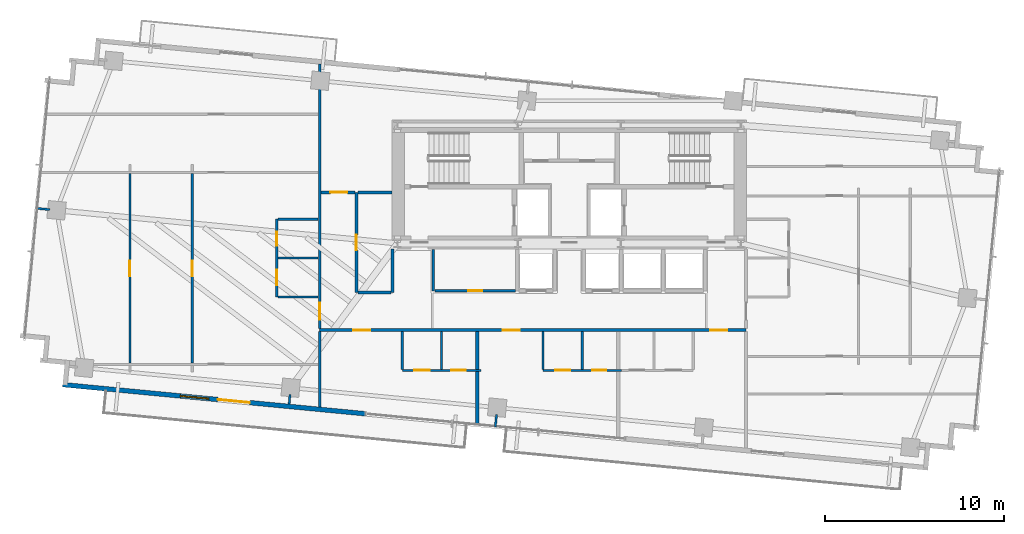
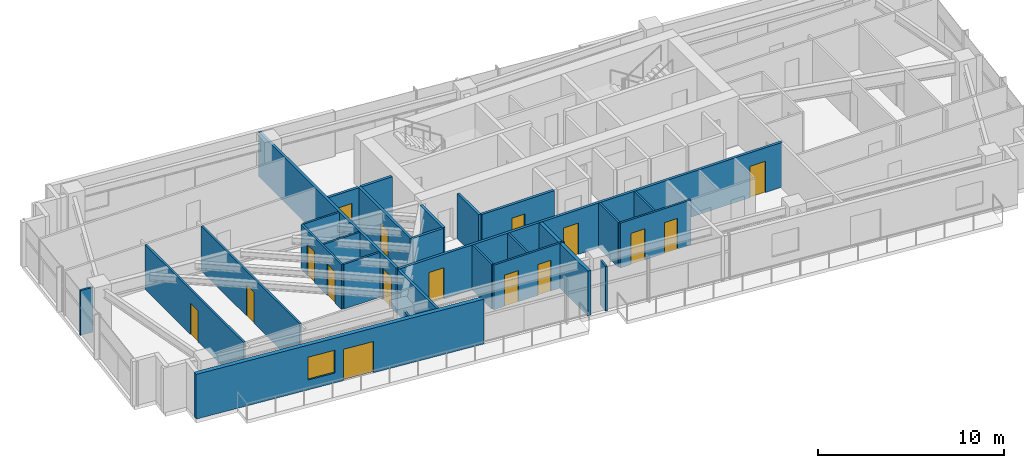
# One storey, part 15 of 20: 28 walls, 16 doors, 1 window, 17 openings.
"""IFC4 building model written with IfcOpenShell, lengths in metres."""

from ifc_helpers import new_model, si_unit, direction, frame, frame_2d, origin, place, context, subcontext, project, spatial, rectangle, extrude, source, transform, mapped, material, layer, layer_set, type_object, type_shapes, element, fill, save


model = new_model("IFC4")

# Units and contexts
model_context = context("Model", 3, precision=1e-05, world=origin(), true_north=direction((0.0, 1.0)))
body_context = subcontext(model_context, "Body", "Model", "MODEL_VIEW")
ifc_project = project(units=[si_unit("LENGTHUNIT", "METRE"), si_unit("AREAUNIT", "SQUARE_METRE"), si_unit("VOLUMEUNIT", "CUBIC_METRE"), si_unit("PLANEANGLEUNIT", "RADIAN"), si_unit("MASSUNIT", "GRAM", prefix="KILO")], contexts=[model_context])

# Site, building, storey
site_placement = place(None, origin())
site = spatial("IfcSite", under=ifc_project, at=site_placement, CompositionType="ELEMENT")
building_placement = place(site_placement, origin())
building = spatial("IfcBuilding", under=site, at=building_placement, Name="Astriad Promenade Condominiums", CompositionType="ELEMENT")
storey_placement = place(building_placement, frame((0.0, 0.0, 153.39990234375)))
storey = spatial("IfcBuildingStorey", under=building, at=storey_placement, Name="L44", CompositionType="ELEMENT", Elevation=153.39990234375)

# Wall
ifc_material_1 = material(Name="Fire-Rated Gypsum Partition")
ifc_layer_1 = layer(ifc_material_1, 0.159912109375)
ifc_layer_set_1 = layer_set([ifc_layer_1], Name="Fire-Rated Gypsum Partition")
wall_type_1 = type_object("IfcWallType", Name="WALL-CORR-160", PredefinedType="PARTITIONING", material=ifc_layer_set_1)
wall_1_placement = place(storey_placement, frame((28.39990234375, 14.75, 0.0), z_axis=(0.0, 0.0, 1.0), x_axis=(0.0, 1.0, 0.0)))
element("IfcWall", 1, at=wall_1_placement, inside=storey, type_object=wall_type_1, Name="REC-L-W-L44", PredefinedType="PARTITIONING", context=body_context, shape_type="SweptSolid", body=[
    extrude(rectangle(XDim=2.300048828125, YDim=0.159912109375, at=frame_2d((1.14990234375, 0.0))), origin(), (0.0, 0.0, 1.0), 2.940185546875),
])

# Wall, opening, door
wall_2_placement = place(storey_placement, frame((28.48193359375, 14.75, 0.0), z_axis=(0.0, 0.0, 1.0), x_axis=(1.0, 0.0, 0.0)))
wall_2 = element("IfcWall", 2, at=wall_2_placement, inside=storey, type_object=wall_type_1, Name="REC-L-S-L44", PredefinedType="PARTITIONING", context=body_context, shape_type="SweptSolid", body=[
    extrude(rectangle(XDim=4.51611328125, YDim=0.159912109375, at=frame_2d((2.258056640625, 0.0))), origin(), (0.0, 0.0, 1.0), 2.940185546875),
])
opening_1_placement = place(wall_2_placement, frame((1.867919921875, 0.0, 0.0)))
opening_1 = element("IfcOpeningElement", 3, at=opening_1_placement, cuts=wall_2, Name="Opening FD60-SV-080", PredefinedType="OPENING", context=body_context, shape_type="SweptSolid", body=[
    extrude(rectangle(XDim=0.800048828125, YDim=2.050048828125, at=frame_2d((0.39990234375, 1.02490234375))), frame((0.0, 0.08984375, 0.0), z_axis=(0.0, -1.0, 0.0), x_axis=(1.0, 0.0, 0.0)), (0.0, 0.0, 1.0), 0.179931640625),
])
ifc_material_2 = material(Name="Fire-Rated Riser Closet Door")
door_type_1 = type_object("IfcDoorType", Name="FD60-SV-080", OperationType="NOTDEFINED", PredefinedType="DOOR", material=ifc_material_2)
shared_shape_1 = source(origin(), body_context, "Body", "SweptSolid", [
    extrude(rectangle(XDim=0.800048828125, YDim=2.050048828125, at=frame_2d((0.39990234375, 1.02490234375))), frame((0.0, 0.02490234375, 0.0), z_axis=(0.0, -1.0, 0.0), x_axis=(1.0, 0.0, 0.0)), (0.0, 0.0, 1.0), 0.050048828125),
])
type_shapes(door_type_1, [shared_shape_1])
door_1_placement = place(opening_1_placement, origin())
door_1 = element("IfcDoor", 4, at=door_1_placement, inside=storey, type_object=door_type_1, Name="D-RECL-L44", OperationType="SINGLE_SWING_LEFT", OverallHeight=2.050048828125, OverallWidth=0.800048828125, PredefinedType="DOOR", context=body_context, shape_type="MappedRepresentation", body=[
    mapped(shared_shape_1, transform((0.0, 0.0, 0.0), scale=1.0)),
])
fill(opening_1, door_1)

# Wall, openings, doors
wall_3_placement = place(storey_placement, frame((22.050048828125, 12.550048828125, 0.0), z_axis=(0.0, 0.0, 1.0), x_axis=(1.0, 0.0, 0.0)))
wall_3 = element("IfcWall", 5, at=wall_3_placement, inside=storey, type_object=wall_type_1, Name="PT-COR-S-L44", PredefinedType="PARTITIONING", context=body_context, shape_type="SweptSolid", body=[
    extrude(rectangle(XDim=23.829833984375, YDim=0.159912109375, at=frame_2d((11.9150390625, 0.0))), origin(), (0.0, 0.0, 1.0), 2.940185546875),
])
opening_2_placement = place(wall_3_placement, frame((1.873046875, 0.0, 0.0)))
opening_2 = element("IfcOpeningElement", 6, at=opening_2_placement, cuts=wall_3, Name="Opening FD60-APT-095", PredefinedType="OPENING", context=body_context, shape_type="SweptSolid", body=[
    extrude(rectangle(XDim=0.949951171875, YDim=2.06005859375, at=frame_2d((0.47509765625, 1.030029296875))), frame((0.0, 0.08984375, 0.0), z_axis=(0.0, -1.0, 0.0), x_axis=(1.0, 0.0, 0.0)), (0.0, 0.0, 1.0), 0.179931640625),
])
opening_3_placement = place(wall_3_placement, frame((10.22412109375, 0.0, 0.0)))
opening_3 = element("IfcOpeningElement", 7, at=opening_3_placement, cuts=wall_3, Name="Opening FD60-APT-095", PredefinedType="OPENING", context=body_context, shape_type="SweptSolid", body=[
    extrude(rectangle(XDim=0.949951171875, YDim=2.06005859375, at=frame_2d((0.47509765625, 1.030029296875))), frame((0.0, 0.08984375, 0.0), z_axis=(0.0, -1.0, 0.0), x_axis=(1.0, 0.0, 0.0)), (0.0, 0.0, 1.0), 0.179931640625),
])
opening_4_placement = place(wall_3_placement, frame((21.840087890625, 0.0, 0.0)))
opening_4 = element("IfcOpeningElement", 8, at=opening_4_placement, cuts=wall_3, Name="Opening FD60-APT-095", PredefinedType="OPENING", context=body_context, shape_type="SweptSolid", body=[
    extrude(rectangle(XDim=0.949951171875, YDim=2.06005859375, at=frame_2d((0.47509765625, 1.030029296875))), frame((0.0, 0.08984375, 0.0), z_axis=(0.0, -1.0, 0.0), x_axis=(1.0, 0.0, 0.0)), (0.0, 0.0, 1.0), 0.179931640625),
])
ifc_material_3 = material(Name="Solid-Core Acoustic Timber Residence Entry Door", Category="wood")
door_type_2 = type_object("IfcDoorType", Name="FD60-APT-095", OperationType="NOTDEFINED", PredefinedType="DOOR", material=ifc_material_3)
shared_shape_2 = source(origin(), body_context, "Body", "SweptSolid", [
    extrude(rectangle(XDim=0.949951171875, YDim=2.06005859375, at=frame_2d((0.47509765625, 1.030029296875))), frame((0.0, 0.02490234375, 0.0), z_axis=(0.0, -1.0, 0.0), x_axis=(1.0, 0.0, 0.0)), (0.0, 0.0, 1.0), 0.050048828125),
])
type_shapes(door_type_2, [shared_shape_2])
door_2_placement = place(opening_2_placement, origin())
door_2 = element("IfcDoor", 9, at=door_2_placement, inside=storey, type_object=door_type_2, Name="D-ENT-L44-S1", OperationType="SINGLE_SWING_RIGHT", OverallHeight=2.06005859375, OverallWidth=0.949951171875, PredefinedType="DOOR", context=body_context, shape_type="MappedRepresentation", body=[
    mapped(shared_shape_2, transform((0.0, 0.0, 0.0), scale=1.0)),
])
fill(opening_2, door_2)
door_3_placement = place(opening_3_placement, origin())
door_3 = element("IfcDoor", 10, at=door_3_placement, inside=storey, type_object=door_type_2, Name="D-ENT-L44-S2", OperationType="SINGLE_SWING_LEFT", OverallHeight=2.06005859375, OverallWidth=0.949951171875, PredefinedType="DOOR", context=body_context, shape_type="MappedRepresentation", body=[
    mapped(shared_shape_2, transform((0.0, 0.0, 0.0), scale=1.0)),
])
fill(opening_3, door_3)
door_4_placement = place(opening_4_placement, origin())
door_4 = element("IfcDoor", 11, at=door_4_placement, inside=storey, type_object=door_type_2, Name="D-ENT-L44-S3", OperationType="SINGLE_SWING_RIGHT", OverallHeight=2.06005859375, OverallWidth=0.949951171875, PredefinedType="DOOR", context=body_context, shape_type="MappedRepresentation", body=[
    mapped(shared_shape_2, transform((0.0, 0.0, 0.0), scale=1.0)),
])
fill(opening_4, door_4)

# Wall
wall_4_placement = place(storey_placement, frame((22.050048828125, 8.253173828125, 0.0), z_axis=(0.0, 0.0, 1.0), x_axis=(0.0, 1.0, 0.0)))
element("IfcWall", 12, at=wall_4_placement, inside=storey, type_object=wall_type_1, Name="PT-COR-W-L44", PredefinedType="PARTITIONING", context=body_context, shape_type="SweptSolid", body=[
    extrude(rectangle(XDim=4.21484375, YDim=0.159912109375, at=frame_2d((2.107421875, 0.0))), origin(), (0.0, 0.0, 1.0), 2.940185546875),
])

# Wall, opening, door
wall_5_placement = place(storey_placement, frame((22.050048828125, 12.632080078125, 0.0), z_axis=(0.0, 0.0, 1.0), x_axis=(0.0, 1.0, 0.0)))
wall_5 = element("IfcWall", 13, at=wall_5_placement, inside=storey, type_object=wall_type_1, Name="PT-COR-W-L44-S2", PredefinedType="PARTITIONING", context=body_context, shape_type="SweptSolid", body=[
    extrude(rectangle(XDim=14.78515625, YDim=0.159912109375, at=frame_2d((7.392578125, 0.0))), origin(), (0.0, 0.0, 1.0), 2.940185546875),
])
opening_5_placement = place(wall_5_placement, frame((0.492919921875, 0.0, 0.0)))
opening_5 = element("IfcOpeningElement", 14, at=opening_5_placement, cuts=wall_5, Name="Opening FD60-APT-095", PredefinedType="OPENING", context=body_context, shape_type="SweptSolid", body=[
    extrude(rectangle(XDim=0.949951171875, YDim=2.06005859375, at=frame_2d((0.47509765625, 1.030029296875))), frame((0.0, 0.08984375, 0.0), z_axis=(0.0, -1.0, 0.0), x_axis=(1.0, 0.0, 0.0)), (0.0, 0.0, 1.0), 0.179931640625),
])
door_5_placement = place(opening_5_placement, origin())
door_5 = element("IfcDoor", 15, at=door_5_placement, inside=storey, type_object=door_type_2, Name="D-ENT-L44-W1", OperationType="SINGLE_SWING_LEFT", OverallHeight=2.06005859375, OverallWidth=0.949951171875, PredefinedType="DOOR", context=body_context, shape_type="MappedRepresentation", body=[
    mapped(shared_shape_2, transform((0.0, 0.0, 0.0), scale=1.0)),
])
fill(opening_5, door_5)

wall_6_placement = place(storey_placement, frame((24.10009765625, 14.659912109375, 0.0), z_axis=(0.0, 0.0, 1.0), x_axis=(0.0, 1.0, 0.0)))
wall_6 = element("IfcWall", 16, at=wall_6_placement, inside=storey, type_object=wall_type_1, Name="PT-HK-E-L44", PredefinedType="PARTITIONING", context=body_context, shape_type="SweptSolid", body=[
    extrude(rectangle(XDim=5.590087890625, YDim=0.159912109375, at=frame_2d((2.794921875, 0.0))), origin(), (0.0, 0.0, 1.0), 2.940185546875),
])
opening_6_placement = place(wall_6_placement, frame((2.360107421875, 0.0, 0.0)))
opening_6 = element("IfcOpeningElement", 17, at=opening_6_placement, cuts=wall_6, Name="Opening FD60-ULOW-085", PredefinedType="OPENING", context=body_context, shape_type="SweptSolid", body=[
    extrude(rectangle(XDim=0.85009765625, YDim=2.0, at=frame_2d((0.425048828125, 1.0))), frame((0.0, 0.08984375, 0.0), z_axis=(0.0, -1.0, 0.0), x_axis=(1.0, 0.0, 0.0)), (0.0, 0.0, 1.0), 0.179931640625),
])
ifc_material_4 = material(Name="Solid-Core Low-Headroom Fire Door")
door_type_3 = type_object("IfcDoorType", Name="FD60-ULOW-085", OperationType="NOTDEFINED", PredefinedType="DOOR", material=ifc_material_4)
shared_shape_3 = source(origin(), body_context, "Body", "SweptSolid", [
    extrude(rectangle(XDim=0.85009765625, YDim=2.0, at=frame_2d((0.425048828125, 1.0))), frame((0.0, 0.02490234375, 0.0), z_axis=(0.0, -1.0, 0.0), x_axis=(1.0, 0.0, 0.0)), (0.0, 0.0, 1.0), 0.050048828125),
])
type_shapes(door_type_3, [shared_shape_3])
door_6_placement = place(opening_6_placement, origin())
door_6 = element("IfcDoor", 18, at=door_6_placement, inside=storey, type_object=door_type_3, Name="D-HKA-L44", OperationType="SINGLE_SWING_RIGHT", OverallHeight=2.0, OverallWidth=0.85009765625, PredefinedType="DOOR", context=body_context, shape_type="MappedRepresentation", body=[
    mapped(shared_shape_3, transform((0.0, 0.0, 0.0), scale=1.0)),
])
fill(opening_6, door_6)

wall_7_placement = place(storey_placement, frame((22.132080078125, 20.25, 0.0), z_axis=(0.0, 0.0, 1.0), x_axis=(1.0, 0.0, 0.0)))
wall_7 = element("IfcWall", 19, at=wall_7_placement, inside=storey, type_object=wall_type_1, Name="PT-HK-N-L44", PredefinedType="PARTITIONING", context=body_context, shape_type="SweptSolid", body=[
    extrude(rectangle(XDim=1.885986328125, YDim=0.159912109375, at=frame_2d((0.94287109375, 0.0))), origin(), (0.0, 0.0, 1.0), 2.940185546875),
])
opening_7_placement = place(wall_7_placement, frame((0.508056640625, 0.0, 0.0)))
opening_7 = element("IfcOpeningElement", 20, at=opening_7_placement, cuts=wall_7, Name="Opening FD60-APT-095", PredefinedType="OPENING", context=body_context, shape_type="SweptSolid", body=[
    extrude(rectangle(XDim=0.949951171875, YDim=2.06005859375, at=frame_2d((0.47509765625, 1.030029296875))), frame((0.0, 0.08984375, 0.0), z_axis=(0.0, -1.0, 0.0), x_axis=(1.0, 0.0, 0.0)), (0.0, 0.0, 1.0), 0.179931640625),
])
door_7_placement = place(opening_7_placement, origin())
door_7 = element("IfcDoor", 21, at=door_7_placement, inside=storey, type_object=door_type_2, Name="D-HKB-L44", OperationType="SINGLE_SWING_LEFT", OverallHeight=2.06005859375, OverallWidth=0.949951171875, PredefinedType="DOOR", context=body_context, shape_type="MappedRepresentation", body=[
    mapped(shared_shape_2, transform((0.0, 0.0, 0.0), scale=1.0)),
])
fill(opening_7, door_7)

# Walls
wall_8_placement = place(storey_placement, frame((24.181884765625, 20.25, 0.0), z_axis=(0.0, 0.0, 1.0), x_axis=(1.0, 0.0, 0.0)))
element("IfcWall", 22, at=wall_8_placement, inside=storey, type_object=wall_type_1, Name="PT-HK-N-L44-S2", PredefinedType="PARTITIONING", context=body_context, shape_type="SweptSolid", body=[
    extrude(rectangle(XDim=1.916015625, YDim=0.159912109375, at=frame_2d((0.9580078125, 0.0))), origin(), (0.0, 0.0, 1.0), 2.940185546875),
])
wall_9_placement = place(storey_placement, frame((26.1201171875, 14.659912109375, 0.0), z_axis=(0.0, 0.0, 1.0), x_axis=(0.0, 1.0, 0.0)))
element("IfcWall", 23, at=wall_9_placement, inside=storey, type_object=wall_type_1, Name="PT-WSPUR-W-L44", PredefinedType="PARTITIONING", context=body_context, shape_type="SweptSolid", body=[
    extrude(rectangle(XDim=2.43798828125, YDim=0.159912109375, at=frame_2d((1.218994140625, 0.0))), origin(), (0.0, 0.0, 1.0), 2.940185546875),
])
wall_10_placement = place(storey_placement, frame((24.181884765625, 14.659912109375, 0.0), z_axis=(0.0, 0.0, 1.0), x_axis=(1.0, 0.0, 0.0)))
element("IfcWall", 24, at=wall_10_placement, inside=storey, type_object=wall_type_1, Name="PT-HK-S-L44", PredefinedType="PARTITIONING", context=body_context, shape_type="SweptSolid", body=[
    extrude(rectangle(XDim=1.856201171875, YDim=0.159912109375, at=frame_2d((0.92822265625, 0.0))), origin(), (0.0, 0.0, 1.0), 2.940185546875),
])
ifc_material_5 = material(Name="Acoustic Double-Stud Gypsum Partition")
ifc_layer_2 = layer(ifc_material_5, 0.199951171875)
ifc_layer_set_2 = layer_set([ifc_layer_2], Name="Acoustic Double-Stud Gypsum Partition")
wall_type_2 = type_object("IfcWallType", Name="WALL-DEMISING-200", PredefinedType="PARTITIONING", material=ifc_layer_set_2)
wall_11_placement = place(storey_placement, frame((30.866943359375, 7.22119140625, 0.0), z_axis=(0.0, 0.0, 1.0), x_axis=(0.0, 1.0, 0.0)))
element("IfcWall", 25, at=wall_11_placement, inside=storey, type_object=wall_type_2, Name="PT-DEM-S1-L44", PredefinedType="PARTITIONING", context=body_context, shape_type="SweptSolid", body=[
    extrude(rectangle(XDim=3.016845703125, YDim=0.199951171875, at=frame_2d((1.50830078125, 0.0))), origin(), (0.0, 0.0, 1.0), 2.940185546875),
])
wall_12_placement = place(storey_placement, frame((30.866943359375, 10.362060546875, 0.0), z_axis=(0.0, 0.0, 1.0), x_axis=(0.0, 1.0, 0.0)))
element("IfcWall", 26, at=wall_12_placement, inside=storey, type_object=wall_type_2, Name="PT-DEM-S1-L44-S2", PredefinedType="PARTITIONING", context=body_context, shape_type="SweptSolid", body=[
    extrude(rectangle(XDim=2.10595703125, YDim=0.199951171875, at=frame_2d((1.052978515625, 0.0))), origin(), (0.0, 0.0, 1.0), 2.940185546875),
])

# Wall, openings, door, window
ifc_material_6 = material(Name="Precast concrete C50/60", Category="concrete")
ifc_layer_3 = layer(ifc_material_6, 0.260009765625)
ifc_layer_set_3 = layer_set([ifc_layer_3], Name="Precast concrete C50/60")
wall_type_3 = type_object("IfcWallType", Name="WALL-EXT-TWR-260", PredefinedType="STANDARD", material=ifc_layer_set_3)
wall_13_placement = place(storey_placement, frame((24.61669921875, 7.873291015625, 0.0), z_axis=(0.0, 0.0, 1.0), x_axis=(-0.995395976631, 0.095848055311, 0.0)))
wall_13 = element("IfcWall", 27, at=wall_13_placement, inside=storey, type_object=wall_type_3, Name="W-EXT-L44-S2", PredefinedType="STANDARD", context=body_context, shape_type="SweptSolid", body=[
    extrude(rectangle(XDim=17.010009765625, YDim=0.260009765625, at=frame_2d((8.5048828125, 0.0))), origin(), (0.0, 0.0, 1.0), 2.940185546875),
])
opening_8_placement = place(wall_13_placement, frame((6.510009765625, 0.0, 0.0)))
opening_8 = element("IfcOpeningElement", 28, at=opening_8_placement, cuts=wall_13, Name="Opening BD-1822-SLD", PredefinedType="OPENING", context=body_context, shape_type="SweptSolid", body=[
    extrude(rectangle(XDim=1.800048828125, YDim=2.06005859375, at=frame_2d((0.89990234375, 1.030029296875))), frame((0.0, 0.139892578125, 0.0), z_axis=(0.0, -1.0, 0.0), x_axis=(1.0, 0.0, 0.0)), (0.0, 0.0, 1.0), 0.280029296875),
])
opening_9_placement = place(wall_13_placement, frame((8.800048828125, 0.0, 0.64990234375)))
opening_9 = element("IfcOpeningElement", 29, at=opening_9_placement, cuts=wall_13, Name="Opening WIN-TWR-1620", PredefinedType="OPENING", context=body_context, shape_type="SweptSolid", body=[
    extrude(rectangle(XDim=1.60009765625, YDim=1.5, at=frame_2d((0.800048828125, 0.75))), frame((0.0, 0.139892578125, 0.0), z_axis=(0.0, -1.0, 0.0), x_axis=(1.0, 0.0, 0.0)), (0.0, 0.0, 1.0), 0.280029296875),
])
ifc_material_7 = material(Name="Thermally Broken Aluminium Sliding Balcony Door", Category="aluminium")
door_type_4 = type_object("IfcDoorType", Name="BD-1822-SLD", OperationType="NOTDEFINED", PredefinedType="DOOR", material=ifc_material_7)
shared_shape_4 = source(origin(), body_context, "Body", "SweptSolid", [
    extrude(rectangle(XDim=1.800048828125, YDim=2.06005859375, at=frame_2d((0.89990234375, 1.030029296875))), frame((0.0, 0.02490234375, 0.0), z_axis=(0.0, -1.0, 0.0), x_axis=(1.0, 0.0, 0.0)), (0.0, 0.0, 1.0), 0.050048828125),
])
type_shapes(door_type_4, [shared_shape_4])
door_8_placement = place(opening_8_placement, origin())
door_8 = element("IfcDoor", 30, at=door_8_placement, inside=storey, type_object=door_type_4, Name="BD-L44-SW", OperationType="SLIDING_TO_LEFT", OverallHeight=2.06005859375, OverallWidth=1.800048828125, PredefinedType="DOOR", context=body_context, shape_type="MappedRepresentation", body=[
    mapped(shared_shape_4, transform((0.0, 0.0, 0.0), scale=1.0)),
])
fill(opening_8, door_8)
ifc_material_8 = material(Name="Dark Tinted Triple-Glazed Aluminium Window", Category="aluminium")
window_type = type_object("IfcWindowType", Name="WIN-TWR-1620", PartitioningType="SINGLE_PANEL", PredefinedType="WINDOW", material=ifc_material_8)
shared_shape_5 = source(origin(), body_context, "Body", "SweptSolid", [
    extrude(rectangle(XDim=1.60009765625, YDim=1.5, at=frame_2d((0.800048828125, 0.75))), frame((0.0, 0.030029296875, 0.0), z_axis=(0.0, -1.0, 0.0), x_axis=(1.0, 0.0, 0.0)), (0.0, 0.0, 1.0), 0.06005859375),
])
type_shapes(window_type, [shared_shape_5])
window_placement = place(opening_9_placement, origin())
window = element("IfcWindow", 31, at=window_placement, inside=storey, type_object=window_type, Name="WIN-L44-SW", OverallHeight=1.5, OverallWidth=1.60009765625, PartitioningType="SINGLE_PANEL", PredefinedType="WINDOW", context=body_context, shape_type="MappedRepresentation", body=[
    mapped(shared_shape_5, transform((0.0, 0.0, 0.0), scale=1.0)),
])
fill(opening_9, window)

# Wall, openings, doors
ifc_material_9 = material(Name="Acoustic Metal-Stud Gypsum Partition")
ifc_layer_4 = layer(ifc_material_9, 0.1201171875)
ifc_layer_set_4 = layer_set([ifc_layer_4], Name="Acoustic Metal-Stud Gypsum Partition")
wall_type_4 = type_object("IfcWallType", Name="WALL-PART-120", PredefinedType="PARTITIONING", material=ifc_layer_set_4)
wall_14_placement = place(storey_placement, frame((26.6669921875, 10.300048828125, 0.0), z_axis=(0.0, 0.0, 1.0), x_axis=(1.0, 0.0, 0.0)))
wall_14 = element("IfcWall", 32, at=wall_14_placement, inside=storey, type_object=wall_type_4, Name="PT-L44-S1-PS", PredefinedType="PARTITIONING", context=body_context, shape_type="SweptSolid", body=[
    extrude(rectangle(XDim=4.39990234375, YDim=0.1201171875, at=frame_2d((2.199951171875, 0.0))), origin(), (0.0, 0.0, 1.0), 2.940185546875),
])
opening_10_placement = place(wall_14_placement, frame((0.675048828125, 0.0, 0.0)))
opening_10 = element("IfcOpeningElement", 33, at=opening_10_placement, cuts=wall_14, Name="Opening D-INT-085", PredefinedType="OPENING", context=body_context, shape_type="SweptSolid", body=[
    extrude(rectangle(XDim=0.85009765625, YDim=2.050048828125, at=frame_2d((0.425048828125, 1.02490234375))), frame((0.0, 0.070068359375, 0.0), z_axis=(0.0, -1.0, 0.0), x_axis=(1.0, 0.0, 0.0)), (0.0, 0.0, 1.0), 0.14013671875),
])
opening_11_placement = place(wall_14_placement, frame((2.75, 0.0, 0.0)))
opening_11 = element("IfcOpeningElement", 34, at=opening_11_placement, cuts=wall_14, Name="Opening D-WET-080", PredefinedType="OPENING", context=body_context, shape_type="SweptSolid", body=[
    extrude(rectangle(XDim=0.800048828125, YDim=2.02001953125, at=frame_2d((0.39990234375, 1.010009765625))), frame((0.0, 0.070068359375, 0.0), z_axis=(0.0, -1.0, 0.0), x_axis=(1.0, 0.0, 0.0)), (0.0, 0.0, 1.0), 0.14013671875),
])
ifc_material_10 = material(Name="Moisture-Resistant Timber Bathroom Door", Category="wood")
door_type_5 = type_object("IfcDoorType", Name="D-WET-080", OperationType="NOTDEFINED", PredefinedType="DOOR", material=ifc_material_10)
shared_shape_6 = source(origin(), body_context, "Body", "SweptSolid", [
    extrude(rectangle(XDim=0.800048828125, YDim=2.02001953125, at=frame_2d((0.39990234375, 1.010009765625))), frame((0.0, 0.02490234375, 0.0), z_axis=(0.0, -1.0, 0.0), x_axis=(1.0, 0.0, 0.0)), (0.0, 0.0, 1.0), 0.050048828125),
])
type_shapes(door_type_5, [shared_shape_6])
door_9_placement = place(opening_11_placement, origin())
door_9 = element("IfcDoor", 35, at=door_9_placement, inside=storey, type_object=door_type_5, Name="D-BTH-L44-S1", OperationType="SINGLE_SWING_RIGHT", OverallHeight=2.02001953125, OverallWidth=0.800048828125, PredefinedType="DOOR", context=body_context, shape_type="MappedRepresentation", body=[
    mapped(shared_shape_6, transform((0.0, 0.0, 0.0), scale=1.0)),
])
fill(opening_11, door_9)
ifc_material_11 = material(Name="Painted Solid-Core Timber Room Door", Category="wood")
door_type_6 = type_object("IfcDoorType", Name="D-INT-085", OperationType="NOTDEFINED", PredefinedType="DOOR", material=ifc_material_11)
shared_shape_7 = source(origin(), body_context, "Body", "SweptSolid", [
    extrude(rectangle(XDim=0.85009765625, YDim=2.050048828125, at=frame_2d((0.425048828125, 1.02490234375))), frame((0.0, 0.02490234375, 0.0), z_axis=(0.0, -1.0, 0.0), x_axis=(1.0, 0.0, 0.0)), (0.0, 0.0, 1.0), 0.050048828125),
])
type_shapes(door_type_6, [shared_shape_7])
door_10_placement = place(opening_10_placement, origin())
door_10 = element("IfcDoor", 36, at=door_10_placement, inside=storey, type_object=door_type_6, Name="D-KIT-L44-S1", OperationType="SINGLE_SWING_LEFT", OverallHeight=2.050048828125, OverallWidth=0.85009765625, PredefinedType="DOOR", context=body_context, shape_type="MappedRepresentation", body=[
    mapped(shared_shape_7, transform((0.0, 0.0, 0.0), scale=1.0)),
])
fill(opening_10, door_10)

# Walls
for number, where, z_axis, x_axis, name in (
    (37, (26.6669921875, 10.362060546875, 0.0), (0.0, 0.0, 1.0), (0.0, 1.0, 0.0), "PT-L44-S1-PK"),
    (38, (28.866943359375, 10.362060546875, 0.0), (0.0, 0.0, 1.0), (0.0, 1.0, 0.0), "PT-L44-S1-PB"),
):
    element("IfcWall", number, at=place(storey_placement, frame(where, z_axis=z_axis, x_axis=x_axis)), inside=storey, type_object=wall_type_4, Name=name, PredefinedType="PARTITIONING", context=body_context, shape_type="SweptSolid", body=[
        extrude(rectangle(XDim=2.10595703125, YDim=0.1201171875, at=frame_2d((1.052978515625, 0.0))), origin(), (0.0, 0.0, 1.0), 2.940185546875),
    ])

# Wall, openings, doors
wall_15_placement = place(storey_placement, frame((34.531005859375, 10.300048828125, 0.0), z_axis=(0.0, 0.0, 1.0), x_axis=(1.0, 0.0, 0.0)))
wall_15 = element("IfcWall", 39, at=wall_15_placement, inside=storey, type_object=wall_type_4, Name="PT-L44-S2-PS", PredefinedType="PARTITIONING", context=body_context, shape_type="SweptSolid", body=[
    extrude(rectangle(XDim=4.39990234375, YDim=0.1201171875, at=frame_2d((2.199951171875, 0.0))), origin(), (0.0, 0.0, 1.0), 2.940185546875),
])
opening_12_placement = place(wall_15_placement, frame((0.675048828125, 0.0, 0.0)))
opening_12 = element("IfcOpeningElement", 40, at=opening_12_placement, cuts=wall_15, Name="Opening D-INT-085", PredefinedType="OPENING", context=body_context, shape_type="SweptSolid", body=[
    extrude(rectangle(XDim=0.85009765625, YDim=2.050048828125, at=frame_2d((0.425048828125, 1.02490234375))), frame((0.0, 0.070068359375, 0.0), z_axis=(0.0, -1.0, 0.0), x_axis=(1.0, 0.0, 0.0)), (0.0, 0.0, 1.0), 0.14013671875),
])
opening_13_placement = place(wall_15_placement, frame((2.75, 0.0, 0.0)))
opening_13 = element("IfcOpeningElement", 41, at=opening_13_placement, cuts=wall_15, Name="Opening D-WET-080", PredefinedType="OPENING", context=body_context, shape_type="SweptSolid", body=[
    extrude(rectangle(XDim=0.800048828125, YDim=2.02001953125, at=frame_2d((0.39990234375, 1.010009765625))), frame((0.0, 0.070068359375, 0.0), z_axis=(0.0, -1.0, 0.0), x_axis=(1.0, 0.0, 0.0)), (0.0, 0.0, 1.0), 0.14013671875),
])
door_11_placement = place(opening_13_placement, origin())
door_11 = element("IfcDoor", 42, at=door_11_placement, inside=storey, type_object=door_type_5, Name="D-BTH-L44-S2", OperationType="SINGLE_SWING_LEFT", OverallHeight=2.02001953125, OverallWidth=0.800048828125, PredefinedType="DOOR", context=body_context, shape_type="MappedRepresentation", body=[
    mapped(shared_shape_6, transform((0.0, 0.0, 0.0), scale=1.0)),
])
fill(opening_13, door_11)
door_12_placement = place(opening_12_placement, origin())
door_12 = element("IfcDoor", 43, at=door_12_placement, inside=storey, type_object=door_type_6, Name="D-KIT-L44-S2", OperationType="SINGLE_SWING_RIGHT", OverallHeight=2.050048828125, OverallWidth=0.85009765625, PredefinedType="DOOR", context=body_context, shape_type="MappedRepresentation", body=[
    mapped(shared_shape_7, transform((0.0, 0.0, 0.0), scale=1.0)),
])
fill(opening_12, door_12)

# Walls
for number, where, z_axis, x_axis, name in (
    (44, (34.531005859375, 10.362060546875, 0.0), (0.0, 0.0, 1.0), (0.0, 1.0, 0.0), "PT-L44-S2-PK"),
    (45, (36.73095703125, 10.362060546875, 0.0), (0.0, 0.0, 1.0), (0.0, 1.0, 0.0), "PT-L44-S2-PB"),
):
    element("IfcWall", number, at=place(storey_placement, frame(where, z_axis=z_axis, x_axis=x_axis)), inside=storey, type_object=wall_type_4, Name=name, PredefinedType="PARTITIONING", context=body_context, shape_type="SweptSolid", body=[
        extrude(rectangle(XDim=2.10595703125, YDim=0.1201171875, at=frame_2d((1.052978515625, 0.0))), origin(), (0.0, 0.0, 1.0), 2.940185546875),
    ])

# Wall, openings, doors
wall_16_placement = place(storey_placement, frame((19.64990234375, 14.39990234375, 0.0), z_axis=(0.0, 0.0, 1.0), x_axis=(0.0, 1.0, 0.0)))
wall_16 = element("IfcWall", 46, at=wall_16_placement, inside=storey, type_object=wall_type_4, Name="PT-L44-W1-PV", PredefinedType="PARTITIONING", context=body_context, shape_type="SweptSolid", body=[
    extrude(rectangle(XDim=4.35009765625, YDim=0.1201171875, at=frame_2d((2.175048828125, 0.0))), origin(), (0.0, 0.0, 1.0), 2.940185546875),
])
opening_14_placement = place(wall_16_placement, frame((0.6630859375, 0.0, 0.0)))
opening_14 = element("IfcOpeningElement", 47, at=opening_14_placement, cuts=wall_16, Name="Opening D-INT-085", PredefinedType="OPENING", context=body_context, shape_type="SweptSolid", body=[
    extrude(rectangle(XDim=0.85009765625, YDim=2.050048828125, at=frame_2d((0.425048828125, 1.02490234375))), frame((0.0, 0.070068359375, 0.0), z_axis=(0.0, -1.0, 0.0), x_axis=(1.0, 0.0, 0.0)), (0.0, 0.0, 1.0), 0.14013671875),
])
opening_15_placement = place(wall_16_placement, frame((2.863037109375, 0.0, 0.0)))
opening_15 = element("IfcOpeningElement", 48, at=opening_15_placement, cuts=wall_16, Name="Opening D-WET-080", PredefinedType="OPENING", context=body_context, shape_type="SweptSolid", body=[
    extrude(rectangle(XDim=0.800048828125, YDim=2.02001953125, at=frame_2d((0.39990234375, 1.010009765625))), frame((0.0, 0.070068359375, 0.0), z_axis=(0.0, -1.0, 0.0), x_axis=(1.0, 0.0, 0.0)), (0.0, 0.0, 1.0), 0.14013671875),
])
door_13_placement = place(opening_15_placement, origin())
door_13 = element("IfcDoor", 49, at=door_13_placement, inside=storey, type_object=door_type_5, Name="D-BTH-L44-W1", OperationType="SINGLE_SWING_LEFT", OverallHeight=2.02001953125, OverallWidth=0.800048828125, PredefinedType="DOOR", context=body_context, shape_type="MappedRepresentation", body=[
    mapped(shared_shape_6, transform((0.0, 0.0, 0.0), scale=1.0)),
])
fill(opening_15, door_13)
door_14_placement = place(opening_14_placement, origin())
door_14 = element("IfcDoor", 50, at=door_14_placement, inside=storey, type_object=door_type_6, Name="D-KIT-L44-W1", OperationType="SINGLE_SWING_RIGHT", OverallHeight=2.050048828125, OverallWidth=0.85009765625, PredefinedType="DOOR", context=body_context, shape_type="MappedRepresentation", body=[
    mapped(shared_shape_7, transform((0.0, 0.0, 0.0), scale=1.0)),
])
fill(opening_14, door_14)

# Walls
for number, where, z_axis, x_axis, name in (
    (51, (19.7119140625, 16.574951171875, 0.0), (0.0, 0.0, 1.0), (1.0, 0.0, 0.0), "PT-L44-W1-PM"),
    (52, (19.7119140625, 14.39990234375, 0.0), (0.0, 0.0, 1.0), (1.0, 0.0, 0.0), "PT-L44-W1-PS"),
    (53, (19.7119140625, 18.75, 0.0), (0.0, 0.0, 1.0), (1.0, 0.0, 0.0), "PT-L44-W1-PN"),
):
    element("IfcWall", number, at=place(storey_placement, frame(where, z_axis=z_axis, x_axis=x_axis)), inside=storey, type_object=wall_type_4, Name=name, PredefinedType="PARTITIONING", context=body_context, shape_type="SweptSolid", body=[
        extrude(rectangle(XDim=2.256103515625, YDim=0.1201171875, at=frame_2d((1.1279296875, 0.0))), origin(), (0.0, 0.0, 1.0), 2.940185546875),
    ])

# Wall, opening, door
wall_17_placement = place(storey_placement, frame((11.43701171875, 10.700927734375, 0.0), z_axis=(0.0, 0.0, 1.0), x_axis=(0.0, 1.0, 0.0)))
wall_17 = element("IfcWall", 54, at=wall_17_placement, inside=storey, type_object=wall_type_4, Name="PT-L44-W1-WDV4-S2", PredefinedType="PARTITIONING", context=body_context, shape_type="SweptSolid", body=[
    extrude(rectangle(XDim=10.60107421875, YDim=0.1201171875, at=frame_2d((5.300537109375, 0.0))), origin(), (0.0, 0.0, 1.0), 2.940185546875),
])
opening_16_placement = place(wall_17_placement, frame((4.8759765625, 0.0, 0.0)))
opening_16 = element("IfcOpeningElement", 55, at=opening_16_placement, cuts=wall_17, Name="Opening D-INT-085", PredefinedType="OPENING", context=body_context, shape_type="SweptSolid", body=[
    extrude(rectangle(XDim=0.85009765625, YDim=2.050048828125, at=frame_2d((0.425048828125, 1.02490234375))), frame((0.0, 0.070068359375, 0.0), z_axis=(0.0, -1.0, 0.0), x_axis=(1.0, 0.0, 0.0)), (0.0, 0.0, 1.0), 0.14013671875),
])
door_15_placement = place(opening_16_placement, origin())
door_15 = element("IfcDoor", 56, at=door_15_placement, inside=storey, type_object=door_type_6, Name="D-WDV4-L44-W1", OperationType="SINGLE_SWING_LEFT", OverallHeight=2.050048828125, OverallWidth=0.85009765625, PredefinedType="DOOR", context=body_context, shape_type="MappedRepresentation", body=[
    mapped(shared_shape_7, transform((0.0, 0.0, 0.0), scale=1.0)),
])
fill(opening_16, door_15)

wall_18_placement = place(storey_placement, frame((14.9208984375, 10.700927734375, 0.0), z_axis=(0.0, 0.0, 1.0), x_axis=(0.0, 1.0, 0.0)))
wall_18 = element("IfcWall", 57, at=wall_18_placement, inside=storey, type_object=wall_type_4, Name="PT-L44-W1-WDV5-S2", PredefinedType="PARTITIONING", context=body_context, shape_type="SweptSolid", body=[
    extrude(rectangle(XDim=10.60107421875, YDim=0.1201171875, at=frame_2d((5.300537109375, 0.0))), origin(), (0.0, 0.0, 1.0), 2.940185546875),
])
opening_17_placement = place(wall_18_placement, frame((4.8759765625, 0.0, 0.0)))
opening_17 = element("IfcOpeningElement", 58, at=opening_17_placement, cuts=wall_18, Name="Opening D-INT-085", PredefinedType="OPENING", context=body_context, shape_type="SweptSolid", body=[
    extrude(rectangle(XDim=0.85009765625, YDim=2.050048828125, at=frame_2d((0.425048828125, 1.02490234375))), frame((0.0, 0.070068359375, 0.0), z_axis=(0.0, -1.0, 0.0), x_axis=(1.0, 0.0, 0.0)), (0.0, 0.0, 1.0), 0.14013671875),
])
door_16_placement = place(opening_17_placement, origin())
door_16 = element("IfcDoor", 59, at=door_16_placement, inside=storey, type_object=door_type_6, Name="D-WDV5-L44-W1", OperationType="SINGLE_SWING_RIGHT", OverallHeight=2.050048828125, OverallWidth=0.85009765625, PredefinedType="DOOR", context=body_context, shape_type="MappedRepresentation", body=[
    mapped(shared_shape_7, transform((0.0, 0.0, 0.0), scale=1.0)),
])
fill(opening_17, door_16)

# Walls
wall_19_placement = place(storey_placement, frame((20.390869140625, 8.953125, 0.0), z_axis=(0.0, 0.0, 1.0), x_axis=(-0.096222656154, -0.995359834654, 0.0)))
element("IfcWall", 60, at=wall_19_placement, inside=storey, type_object=wall_type_4, Name="PT-PIL-L44-PC02-9", PredefinedType="PARTITIONING", context=body_context, shape_type="SweptSolid", body=[
    extrude(rectangle(XDim=0.537841796875, YDim=0.1201171875, at=frame_2d((0.26904296875, 0.0))), origin(), (0.0, 0.0, 1.0), 2.940185546875),
])
wall_20_placement = place(storey_placement, frame((31.9375, 7.84130859375, 0.0), z_axis=(0.0, 0.0, 1.0), x_axis=(-0.095977354523, -0.995383517755, 0.0)))
element("IfcWall", 61, at=wall_20_placement, inside=storey, type_object=wall_type_4, Name="PT-PIL-L44-PC03-10", PredefinedType="PARTITIONING", context=body_context, shape_type="SweptSolid", body=[
    extrude(rectangle(XDim=0.719970703125, YDim=0.1201171875, at=frame_2d((0.35986328125, 0.0))), origin(), (0.0, 0.0, 1.0), 2.940185546875),
])
wall_21_placement = place(storey_placement, frame((6.95947265625, 19.2880859375, 0.0), z_axis=(0.0, 0.0, 1.0), x_axis=(-0.995377786728, 0.096036772582, 0.0)))
element("IfcWall", 62, at=wall_21_placement, inside=storey, type_object=wall_type_4, Name="PT-PIL-L44-PC11-18", PredefinedType="PARTITIONING", context=body_context, shape_type="SweptSolid", body=[
    extrude(rectangle(XDim=0.760009765625, YDim=0.1201171875, at=frame_2d((0.3798828125, 0.0))), origin(), (0.0, 0.0, 1.0), 2.940185546875),
])

save(model, "model.ifc")
